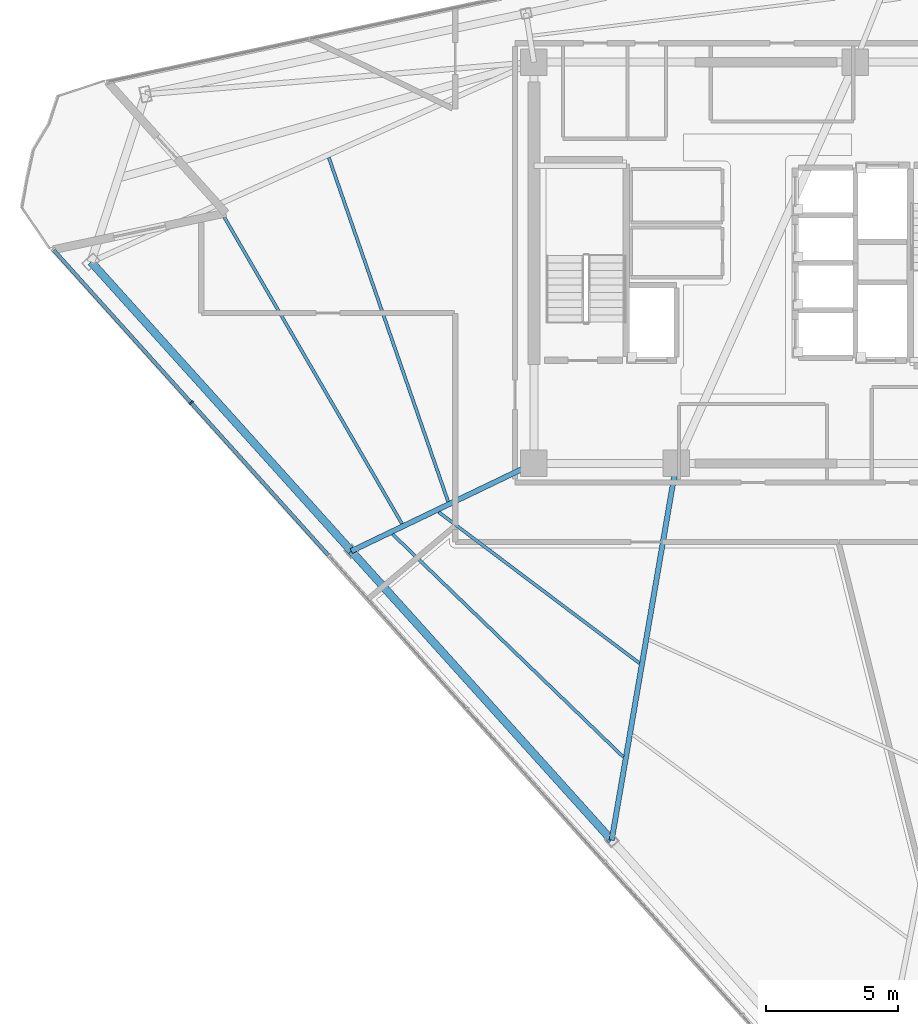
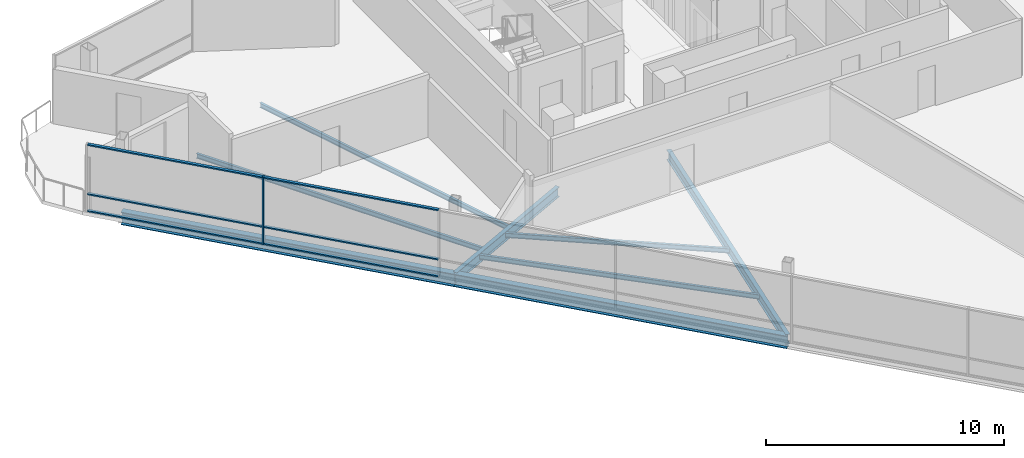
# One storey, part 3 of 15: 8 beams, 7 members, 1 element without a shape of its own.
"""IFC4 building model written with IfcOpenShell, lengths in metres."""

import ifcopenshell
import ifcopenshell.guid

model = None  # the IFC model being written
_history = None  # IfcOwnerHistory: only IFC2X3 demands one
_inside = {}  # id of a spatial element -> (the spatial element, [elements in it])
_under = {}  # id of a project, library or spatial element -> (it, [spatial elements below it])
_declared = {}  # id of a project -> (the project, [libraries it declares])
_typed = {}  # id of a type object -> (the type object, [elements of that type])
_made_of = {}  # id of a material, layer set ... -> (it, [elements and type objects made of it])


def new_model(schema):
    """Start an empty IFC model of exactly this schema.

    Asked for "IFC4X3", IfcOpenShell would pick the latest addendum, in which some entities
    have other attributes; the version numbers below select the first issue.
    IFC2X3 requires an IfcOwnerHistory on every rooted entity: one is made here for all.
    """
    global model, _history
    if schema == "IFC4X3":
        model = ifcopenshell.file(schema_version=(4, 3, 0, 0))
    else:
        model = ifcopenshell.file(schema=schema)
    _inside.clear()
    _under.clear()
    _declared.clear()
    _typed.clear()
    _made_of.clear()
    _history = None
    if model.schema == "IFC2X3":
        org = make("IfcOrganization", Name="unknown")
        user = make(
            "IfcPersonAndOrganization",
            ThePerson=make("IfcPerson", FamilyName="unknown"),
            TheOrganization=org,
        )
        app = make(
            "IfcApplication",
            ApplicationDeveloper=org,
            Version="unknown",
            ApplicationFullName="unknown",
            ApplicationIdentifier="unknown",
        )
        _history = make(
            "IfcOwnerHistory",
            OwningUser=user,
            OwningApplication=app,
            ChangeAction="ADDED",
            CreationDate=0,
        )
    return model


def make(cls, **values):
    """One entity of the class cls with the attributes given. An attribute that is None is left unset."""
    return model.create_entity(
        cls, **{name: value for name, value in values.items() if value is not None}
    )


def rooted(cls, **values):
    """An entity with a GlobalId (a new one), such as an element, a storey or a relation."""
    return make(cls, GlobalId=ifcopenshell.guid.new(), OwnerHistory=_history, **values)


def si_unit(unit_type, name, prefix=None):
    """IfcSIUnit, for example si_unit("LENGTHUNIT", "METRE", prefix="MILLI")."""
    return make("IfcSIUnit", UnitType=unit_type, Prefix=prefix, Name=name)


def assignment(units):
    """IfcUnitAssignment: the units of a project."""
    return None if units is None else make("IfcUnitAssignment", Units=units)


def point(xyz):
    """IfcCartesianPoint."""
    return None if xyz is None else make("IfcCartesianPoint", Coordinates=xyz)


def direction(xyz):
    """IfcDirection."""
    return None if xyz is None else make("IfcDirection", DirectionRatios=xyz)


def frame(location, z_axis=None, x_axis=None):
    """IfcAxis2Placement3D, a coordinate frame: its origin and axes. An axis left out is left unset."""
    return make(
        "IfcAxis2Placement3D",
        Location=point(location),
        Axis=direction(z_axis),
        RefDirection=direction(x_axis),
    )


def frame_2d(location, x_axis=None):
    """IfcAxis2Placement2D, a coordinate frame in the plane: its origin and x axis."""
    return make(
        "IfcAxis2Placement2D", Location=point(location), RefDirection=direction(x_axis)
    )


def origin():
    """The frame at (0, 0, 0) with its axes left unset."""
    return frame((0.0, 0.0, 0.0))


def origin_2d():
    """The frame at (0, 0) in the plane with its x axis left unset."""
    return frame_2d((0.0, 0.0))


def place(relative_to, where):
    """IfcLocalPlacement: puts the frame where relative to a parent placement (None: the world)."""
    return make(
        "IfcLocalPlacement", PlacementRelTo=relative_to, RelativePlacement=where
    )


def context(
    kind, dimensions, precision=None, world=None, true_north=None, identifier=None
):
    """IfcGeometricRepresentationContext, for example the 3D "Model" context."""
    return make(
        "IfcGeometricRepresentationContext",
        ContextIdentifier=identifier,
        ContextType=kind,
        CoordinateSpaceDimension=dimensions,
        Precision=precision,
        WorldCoordinateSystem=world,
        TrueNorth=true_north,
    )


def subcontext(parent, identifier, kind, view, scale=None):
    """IfcGeometricRepresentationSubContext, for example "Body" below "Model"."""
    return make(
        "IfcGeometricRepresentationSubContext",
        ContextIdentifier=identifier,
        ContextType=kind,
        ParentContext=parent,
        TargetScale=scale,
        TargetView=view,
    )


def project(units=None, contexts=None):
    """IfcProject with its units and contexts."""
    return rooted(
        "IfcProject",
        Name="project",
        RepresentationContexts=contexts,
        UnitsInContext=assignment(units),
    )


def spatial(cls, under=None, at=None, **own):
    """A site, building, storey or space (cls), placed at a placement, below another one or the project."""
    s = rooted(cls, ObjectPlacement=at, **own)
    if under is not None:
        _under.setdefault(under.id(), (under, []))[1].append(s)
    return s


def profile(cls, at=None, kind="AREA", **sizes):
    """A parametric profile (cls). Its sizes go by their IFC names, for example OverallWidth=200.0."""
    return make(cls, ProfileType=kind, Position=at, **sizes)


def rectangle(**sizes):
    """IfcRectangleProfileDef."""
    return profile("IfcRectangleProfileDef", **sizes)


def i_section(**sizes):
    """IfcIShapeProfileDef."""
    return profile("IfcIShapeProfileDef", **sizes)


def extrude(swept, where, along, depth):
    """IfcExtrudedAreaSolid: the profile swept, set in the frame where, extruded along a direction by depth."""
    return make(
        "IfcExtrudedAreaSolid",
        SweptArea=swept,
        Position=where,
        ExtrudedDirection=direction(along),
        Depth=depth,
    )


def shape(context_of_items, identifier, shape_type, items):
    """IfcShapeRepresentation: the items that make up one representation, for example the "Body"."""
    return make(
        "IfcShapeRepresentation",
        ContextOfItems=context_of_items,
        RepresentationIdentifier=identifier,
        RepresentationType=shape_type,
        Items=items,
    )


def material(Name=None, Category=None):
    """IfcMaterial."""
    return make("IfcMaterial", Name=Name, Category=Category)


def layer(
    of_material, thickness, ventilated=None, Name=None, Category=None, Priority=None
):
    """IfcMaterialLayer: one layer of a wall or slab, of a material (None: an air gap)."""
    return make(
        "IfcMaterialLayer",
        Material=of_material,
        LayerThickness=thickness,
        IsVentilated=ventilated,
        Name=Name,
        Category=Category,
        Priority=Priority,
    )


def layer_set(layers, Name=None):
    """IfcMaterialLayerSet."""
    return make("IfcMaterialLayerSet", MaterialLayers=layers, LayerSetName=Name)


def material_profile(
    of_material, cross_section, Name=None, Category=None, Priority=None
):
    """IfcMaterialProfile: a cross section and its material."""
    return make(
        "IfcMaterialProfile",
        Name=Name,
        Material=of_material,
        Profile=cross_section,
        Priority=Priority,
        Category=Category,
    )


def profile_set(profiles, Name=None, composite=None):
    """IfcMaterialProfileSet."""
    return make(
        "IfcMaterialProfileSet",
        Name=Name,
        MaterialProfiles=profiles,
        CompositeProfile=composite,
    )


def made_of(thing, what):
    """Note that an element or type object is made of a material, layer set ...; save() writes the relation."""
    if what is not None:
        _made_of.setdefault(what.id(), (what, []))[1].append(thing)
    return thing


def type_object(cls, material=None, **own):
    """A type object (cls), such as IfcWallType, which elements share."""
    return made_of(rooted(cls, **own), material)


def element(
    cls,
    number,
    at=None,
    inside=None,
    cuts=None,
    type_object=None,
    material=None,
    context=None,
    identifier="Body",
    shape_type=None,
    held_by="IfcProductDefinitionShape",
    body=None,
    shapes=None,
    **own,
):
    """One element of the class cls, such as IfcWall. Its Tag is "e" and its number.

    at: its placement. inside: the storey or other place that contains it. cuts: it is an
    opening in that element (IfcRelVoidsElement). A single representation is given by context,
    identifier, shape_type and body (its items); several are given by shapes. held_by: the class
    of the entity that holds the representations. save() writes the other relations.
    """
    e = rooted(cls, Tag="e%d" % number, ObjectPlacement=at, **own)
    if body is not None:
        shapes = [shape(context, identifier, shape_type, body)]
    if shapes is not None:
        e.Representation = make(held_by, Representations=shapes)
    if inside is not None:
        _inside.setdefault(inside.id(), (inside, []))[1].append(e)
    if cuts is not None:
        rooted(
            "IfcRelVoidsElement", RelatingBuildingElement=cuts, RelatedOpeningElement=e
        )
    if type_object is not None:
        _typed.setdefault(type_object.id(), (type_object, []))[1].append(e)
    return made_of(e, material)


def aggregate(whole, parts):
    """IfcRelAggregates: a whole, such as a stair, and the parts it consists of."""
    return rooted("IfcRelAggregates", RelatingObject=whole, RelatedObjects=parts)


def save(model, path):
    """Write the relations noted so far, then the file.

    IfcRelAggregates (storeys below a building ...), IfcRelContainedInSpatialStructure (elements
    in a storey), IfcRelDefinesByType, IfcRelAssociatesMaterial and IfcRelDeclares: one each for
    every whole, place, type object, material and project.
    """
    for whole, parts in _under.values():
        aggregate(whole, parts)
    for where, things in _inside.values():
        rooted(
            "IfcRelContainedInSpatialStructure",
            RelatedElements=things,
            RelatingStructure=where,
        )
    for kind, things in _typed.values():
        rooted("IfcRelDefinesByType", RelatedObjects=things, RelatingType=kind)
    for what, things in _made_of.values():
        rooted("IfcRelAssociatesMaterial", RelatedObjects=things, RelatingMaterial=what)
    for by, libraries in _declared.values():
        rooted("IfcRelDeclares", RelatingContext=by, RelatedDefinitions=libraries)
    model.write(path)


model = new_model("IFC4")

# Units and contexts
model_context = context("Model", 3, precision=1e-05, world=origin(), true_north=direction((0.0, 1.0)))
body_context = subcontext(model_context, "Body", "Model", "MODEL_VIEW")
ifc_project = project(units=[si_unit("LENGTHUNIT", "METRE"), si_unit("AREAUNIT", "SQUARE_METRE"), si_unit("VOLUMEUNIT", "CUBIC_METRE"), si_unit("PLANEANGLEUNIT", "RADIAN"), si_unit("MASSUNIT", "GRAM", prefix="KILO")], contexts=[model_context])

# Site, building, storey
site_placement = place(None, origin())
site = spatial("IfcSite", under=ifc_project, at=site_placement, CompositionType="ELEMENT")
building_placement = place(site_placement, origin())
building = spatial("IfcBuilding", under=site, at=building_placement, Name="Tharavind Bronze Gate", CompositionType="ELEMENT")
storey_placement = place(building_placement, frame((0.0, 0.0, 283.39990234375)))
storey = spatial("IfcBuildingStorey", under=building, at=storey_placement, Name="L73", CompositionType="ELEMENT", Elevation=283.39990234375)

# Curtain wall, members
ifc_material_1 = material(Name="Anodised Bronze Aluminium", Category="aluminium")
ifc_layer = layer(ifc_material_1, 0.219970703125)
ifc_layer_set = layer_set([ifc_layer], Name="Anodised Bronze Aluminium")
curtain_wall_type = type_object("IfcCurtainWallType", Name="UNITISED CURTAIN WALL CROWN", PredefinedType="USERDEFINED", material=ifc_layer_set)
curtain_wall_placement = place(storey_placement, origin())
curtain_wall = element("IfcCurtainWall", 1, at=curtain_wall_placement, inside=storey, type_object=curtain_wall_type, Name="L73 unitised curtain wall crown CW-L73-S1", ObjectType="UNITISED CURTAIN WALL", PredefinedType="USERDEFINED")
member_type_1 = type_object("IfcMemberType", Name="CURTAIN WALL BRONZE MULLION 65X180", PredefinedType="MULLION", material=ifc_material_1)
member_1_placement = place(storey_placement, frame((-21.88427734375, -5.30322265625, 0.0), z_axis=(0.0, 0.0, 1.0), x_axis=(0.669130606359, -0.743144825477, 0.0)))
member_1 = element("IfcMember", 2, at=member_1_placement, type_object=member_type_1, Name="CW-L73-S1 mullion 2", PredefinedType="MULLION", context=body_context, shape_type="SweptSolid", body=[
    extrude(rectangle(XDim=0.06494140625, YDim=0.179931640625, at=origin_2d()), origin(), (0.0, 0.0, 1.0), 3.465087890625),
])
member_type_2 = type_object("IfcMemberType", Name="CURTAIN WALL BRONZE TRANSOM 65X140", PredefinedType="USERDEFINED", material=ifc_material_1)
member_2_placement = place(storey_placement, frame((-24.494873046875, -2.404052734375, 0.000244140625), z_axis=(0.0, 0.0, 1.0), x_axis=(0.669130606359, -0.743144825477, 0.0)))
member_2 = element("IfcMember", 3, at=member_2_placement, type_object=member_type_2, Name="CW-L73-S1 transom TB1", ObjectType="TRANSOM", PredefinedType="USERDEFINED", context=body_context, shape_type="SweptSolid", body=[
    extrude(rectangle(XDim=7.749755859375, YDim=0.139892578125, at=origin_2d()), origin(), (0.0, 0.0, 1.0), 0.06494140625),
])
member_3_placement = place(storey_placement, frame((-24.494873046875, -2.404052734375, 0.86767578125), z_axis=(0.0, 0.0, 1.0), x_axis=(0.669130606359, -0.743144825477, 0.0)))
member_3 = element("IfcMember", 4, at=member_3_placement, type_object=member_type_2, Name="CW-L73-S1 transom TS1", ObjectType="TRANSOM", PredefinedType="USERDEFINED", context=body_context, shape_type="SweptSolid", body=[
    extrude(rectangle(XDim=7.749755859375, YDim=0.139892578125, at=origin_2d()), origin(), (0.0, 0.0, 1.0), 0.06494140625),
])
member_4_placement = place(storey_placement, frame((-24.494873046875, -2.404052734375, 3.400146484375), z_axis=(0.0, 0.0, 1.0), x_axis=(0.669130606359, -0.743144825477, 0.0)))
member_4 = element("IfcMember", 5, at=member_4_placement, type_object=member_type_2, Name="CW-L73-S1 transom TT1", ObjectType="TRANSOM", PredefinedType="USERDEFINED", context=body_context, shape_type="SweptSolid", body=[
    extrude(rectangle(XDim=7.749755859375, YDim=0.139892578125, at=origin_2d()), origin(), (0.0, 0.0, 1.0), 0.06494140625),
])
member_5_placement = place(storey_placement, frame((-19.273681640625, -8.20263671875, 0.000244140625), z_axis=(0.0, 0.0, 1.0), x_axis=(0.669130606359, -0.743144825477, 0.0)))
member_5 = element("IfcMember", 6, at=member_5_placement, type_object=member_type_2, Name="CW-L73-S1 transom TB2", ObjectType="TRANSOM", PredefinedType="USERDEFINED", context=body_context, shape_type="SweptSolid", body=[
    extrude(rectangle(XDim=7.749755859375, YDim=0.139892578125, at=origin_2d()), origin(), (0.0, 0.0, 1.0), 0.06494140625),
])
member_6_placement = place(storey_placement, frame((-19.273681640625, -8.20263671875, 0.86767578125), z_axis=(0.0, 0.0, 1.0), x_axis=(0.669130606359, -0.743144825477, 0.0)))
member_6 = element("IfcMember", 7, at=member_6_placement, type_object=member_type_2, Name="CW-L73-S1 transom TS2", ObjectType="TRANSOM", PredefinedType="USERDEFINED", context=body_context, shape_type="SweptSolid", body=[
    extrude(rectangle(XDim=7.749755859375, YDim=0.139892578125, at=origin_2d()), origin(), (0.0, 0.0, 1.0), 0.06494140625),
])
member_7_placement = place(storey_placement, frame((-19.273681640625, -8.20263671875, 3.400146484375), z_axis=(0.0, 0.0, 1.0), x_axis=(0.669130606359, -0.743144825477, 0.0)))
member_7 = element("IfcMember", 8, at=member_7_placement, type_object=member_type_2, Name="CW-L73-S1 transom TT2", ObjectType="TRANSOM", PredefinedType="USERDEFINED", context=body_context, shape_type="SweptSolid", body=[
    extrude(rectangle(XDim=7.749755859375, YDim=0.139892578125, at=origin_2d()), origin(), (0.0, 0.0, 1.0), 0.06494140625),
])
aggregate(curtain_wall, [member_1, member_2, member_3, member_4, member_5, member_6, member_7])

# Beams
ifc_material_2 = material(Name="Steel S355", Category="steel")
ifc_material_profile_1 = material_profile(ifc_material_2, i_section(OverallWidth=0.300048828125, OverallDepth=0.64990234375, WebThickness=0.01611328125, FlangeThickness=0.031005859375, at=origin_2d()), Name="HE650B")
ifc_profile_set_1 = profile_set([ifc_material_profile_1], Name="Steel S355")
beam_type_1 = type_object("IfcBeamType", Name="PRIMARY GIRDER HE650B", PredefinedType="USERDEFINED", material=ifc_profile_set_1)
beam_1_placement = place(storey_placement, frame((-25.6787109375, 0.03173828125, -0.510009765625), z_axis=(0.669125777788, -0.743149173113, 0.0), x_axis=(0.743149173113, 0.669125777788, 0.0)))
element("IfcBeam", 9, at=beam_1_placement, inside=storey, type_object=beam_type_1, Name="L73 primary girder he650b BM-L73-PRG01", ObjectType="GIRDER", PredefinedType="USERDEFINED", context=body_context, shape_type="SweptSolid", body=[
    extrude(i_section(OverallWidth=0.300048828125, OverallDepth=0.64990234375, WebThickness=0.01611328125, FlangeThickness=0.031005859375, at=origin_2d()), origin(), (0.0, 0.0, 1.0), 14.739501953125),
])
beam_2_placement = place(storey_placement, frame((-15.816162109375, -10.921875, -0.510009765625), z_axis=(0.669134014343, -0.7431417569, 0.0), x_axis=(0.7431417569, 0.669134014343, 0.0)))
element("IfcBeam", 10, at=beam_2_placement, inside=storey, type_object=beam_type_1, Name="L73 primary girder he650b BM-L73-PRG02", ObjectType="GIRDER", PredefinedType="USERDEFINED", context=body_context, shape_type="SweptSolid", body=[
    extrude(i_section(OverallWidth=0.300048828125, OverallDepth=0.64990234375, WebThickness=0.01611328125, FlangeThickness=0.031005859375, at=origin_2d()), origin(), (0.0, 0.0, 1.0), 14.7392578125),
])
ifc_material_profile_2 = material_profile(ifc_material_2, i_section(OverallWidth=0.199951171875, OverallDepth=0.5, WebThickness=0.01025390625, FlangeThickness=0.01611328125, at=origin_2d()), Name="IPE500")
ifc_profile_set_2 = profile_set([ifc_material_profile_2], Name="Steel S355")
beam_type_2 = type_object("IfcBeamType", Name="PRIMARY GIRDER IPE500", PredefinedType="USERDEFINED", material=ifc_profile_set_2)
beam_3_placement = place(storey_placement, frame((-15.816162109375, -10.921875, -0.434814453125), z_axis=(0.90142273265, 0.432940015547, 0.0), x_axis=(-0.432940015547, 0.90142273265, 0.0)))
element("IfcBeam", 11, at=beam_3_placement, inside=storey, type_object=beam_type_2, Name="L73 primary girder ipe500 BM-L73-RAD02", ObjectType="GIRDER", PredefinedType="USERDEFINED", context=body_context, shape_type="SweptSolid", body=[
    extrude(i_section(OverallWidth=0.199951171875, OverallDepth=0.5, WebThickness=0.01025390625, FlangeThickness=0.01611328125, at=origin_2d()), origin(), (0.0, 0.0, 1.0), 7.672607421875),
])
beam_4_placement = place(storey_placement, frame((-5.95361328125, -21.875244140625, -0.434814453125), z_axis=(0.169396075944, 0.985548055376, 0.0), x_axis=(-0.985548055376, 0.169396075944, 0.0)))
element("IfcBeam", 12, at=beam_4_placement, inside=storey, type_object=beam_type_2, Name="L73 primary girder ipe500 BM-L73-RAD03", ObjectType="GIRDER", PredefinedType="USERDEFINED", context=body_context, shape_type="SweptSolid", body=[
    extrude(i_section(OverallWidth=0.199951171875, OverallDepth=0.5, WebThickness=0.01025390625, FlangeThickness=0.01611328125, at=origin_2d()), origin(), (0.0, 0.0, 1.0), 14.484375),
])
ifc_material_profile_3 = material_profile(ifc_material_2, i_section(OverallWidth=0.1201171875, OverallDepth=0.239990234375, WebThickness=0.006103515625, FlangeThickness=0.009765625, at=origin_2d()), Name="IPE240")
ifc_profile_set_3 = profile_set([ifc_material_profile_3], Name="Steel S355")
beam_type_3 = type_object("IfcBeamType", Name="SECONDARY FLOOR JOIST IPE240", PredefinedType="JOIST", material=ifc_profile_set_3)
beam_5_placement = place(storey_placement, frame((-16.66796875, 3.982177734375, -0.304931640625), z_axis=(0.327619503862, -0.944809748409, 0.0), x_axis=(0.944809748409, 0.327619503862, 0.0)))
element("IfcBeam", 13, at=beam_5_placement, inside=storey, type_object=beam_type_3, Name="L73 secondary floor joist ipe240 BM-L73-JSTA01", PredefinedType="JOIST", context=body_context, shape_type="SweptSolid", body=[
    extrude(i_section(OverallWidth=0.1201171875, OverallDepth=0.239990234375, WebThickness=0.006103515625, FlangeThickness=0.009765625, at=origin_2d()), origin(), (0.0, 0.0, 1.0), 13.7890625),
])
beam_6_placement = place(storey_placement, frame((-20.84423828125, 2.09814453125, -0.304931640625), z_axis=(0.501531582807, -0.865139336435, 0.0), x_axis=(0.865139336435, 0.501531582807, 0.0)))
element("IfcBeam", 14, at=beam_6_placement, inside=storey, type_object=beam_type_3, Name="L73 secondary floor joist ipe240 BM-L73-JSTB01", PredefinedType="JOIST", context=body_context, shape_type="SweptSolid", body=[
    extrude(i_section(OverallWidth=0.1201171875, OverallDepth=0.239990234375, WebThickness=0.006103515625, FlangeThickness=0.009765625, at=origin_2d()), origin(), (0.0, 0.0, 1.0), 13.85107421875),
])
beam_7_placement = place(storey_placement, frame((-12.507080078125, -9.447265625, -0.304931640625), z_axis=(0.799041209175, -0.601276264325, 0.0), x_axis=(0.601276264325, 0.799041209175, 0.0)))
element("IfcBeam", 15, at=beam_7_placement, inside=storey, type_object=beam_type_3, Name="L73 secondary floor joist ipe240 BM-L73-JSTA02", PredefinedType="JOIST", context=body_context, shape_type="SweptSolid", body=[
    extrude(i_section(OverallWidth=0.1201171875, OverallDepth=0.239990234375, WebThickness=0.006103515625, FlangeThickness=0.009765625, at=origin_2d()), origin(), (0.0, 0.0, 1.0), 9.512939453125),
])
beam_8_placement = place(storey_placement, frame((-14.24951171875, -10.284423828125, -0.304931640625), z_axis=(0.719295778134, -0.694703953896, 0.0), x_axis=(0.694703953896, 0.719295778134, 0.0)))
element("IfcBeam", 16, at=beam_8_placement, inside=storey, type_object=beam_type_3, Name="L73 secondary floor joist ipe240 BM-L73-JSTB02", PredefinedType="JOIST", context=body_context, shape_type="SweptSolid", body=[
    extrude(i_section(OverallWidth=0.1201171875, OverallDepth=0.239990234375, WebThickness=0.006103515625, FlangeThickness=0.009765625, at=origin_2d()), origin(), (0.0, 0.0, 1.0), 12.1416015625),
])

save(model, "model.ifc")
